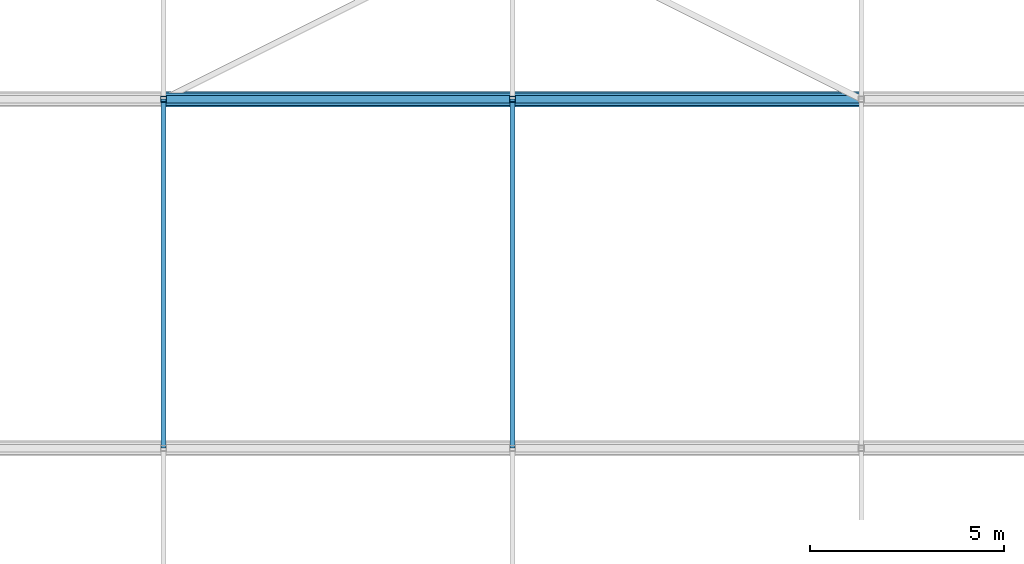
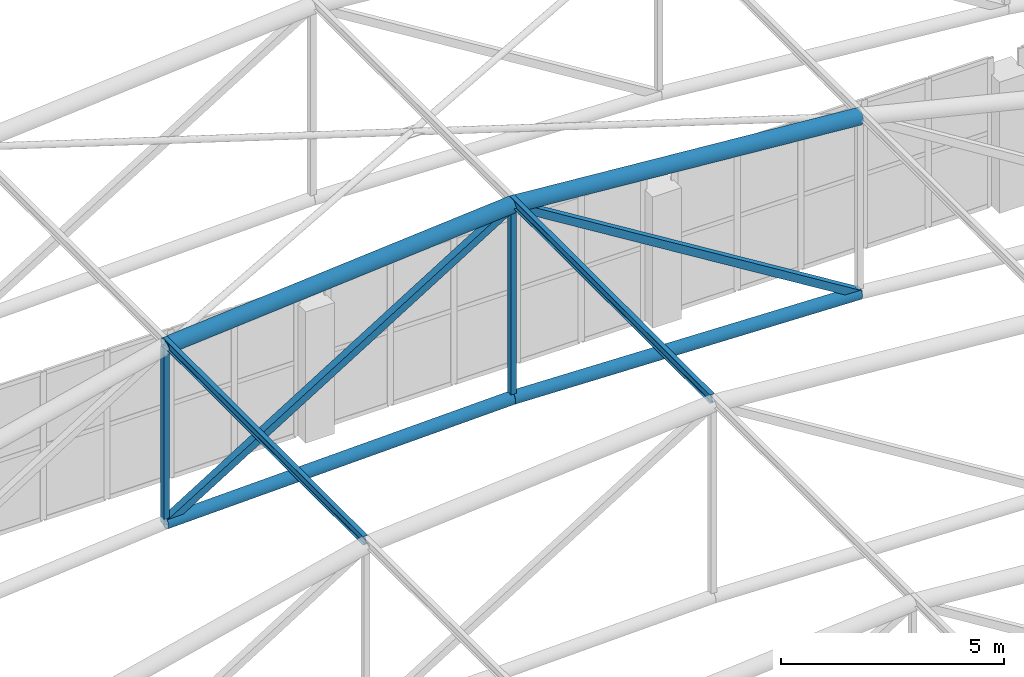
# One storey, part 58 of 167: 10 members.
"""IFC4 building model written with IfcOpenShell, lengths in metres."""

from ifc_helpers import new_model, si_unit, direction, frame, origin, origin_2d, place, context, subcontext, project, spatial, hollow_rectangle, hollow_circle, i_section, extrude, material, material_profile, profile_set, type_object, element, save


model = new_model("IFC4")

# Units and contexts
model_context = context("Model", 3, precision=1e-05, world=origin(), true_north=direction((0.0, 1.0)))
body_context = subcontext(model_context, "Body", "Model", "MODEL_VIEW")
ifc_project = project(units=[si_unit("LENGTHUNIT", "METRE"), si_unit("AREAUNIT", "SQUARE_METRE"), si_unit("VOLUMEUNIT", "CUBIC_METRE"), si_unit("PLANEANGLEUNIT", "RADIAN"), si_unit("MASSUNIT", "GRAM", prefix="KILO")], contexts=[model_context])

# Site, building, storey
site_placement = place(None, origin())
site = spatial("IfcSite", under=ifc_project, at=site_placement, CompositionType="ELEMENT")
building_placement = place(site_placement, origin())
building = spatial("IfcBuilding", under=site, at=building_placement, Name="Dornveld Trade and Exhibition Forum", CompositionType="ELEMENT")
storey_placement = place(building_placement, frame((0.0, 0.0, 16.800048828125)))
storey = spatial("IfcBuildingStorey", under=building, at=storey_placement, Name="L03", CompositionType="ELEMENT", Elevation=16.800048828125)

# Members
ifc_material_1 = material(Name="Steel S355J2", Category="steel")
ifc_material_profile_1 = material_profile(ifc_material_1, hollow_circle(Radius=0.161865234375, WallThickness=0.01611328125, at=origin_2d()), Name="CHS 323.9x16")
ifc_profile_set_1 = profile_set([ifc_material_profile_1], Name="Steel S355J2")
member_type_1 = type_object("IfcMemberType", Name="MEM-ARCH-BC", PredefinedType="CHORD", material=ifc_profile_set_1)
for number, where, z_axis, x_axis, name in (
    (1, (45.0, 126.0, 6.083251953125), (0.999561545365, 0.0, 0.029609407757), (0.0, 1.0, 0.0), "H3 truss 11 tie chord 3"),
    (2, (54.0, 126.0, 6.349853515625), (0.999561545365, 0.0, -0.029609407757), (0.0, 1.0, 0.0), "H3 truss 11 tie chord 4"),
):
    element("IfcMember", number, at=place(storey_placement, frame(where, z_axis=z_axis, x_axis=x_axis)), inside=storey, type_object=member_type_1, Name=name, PredefinedType="CHORD", context=body_context, shape_type="SweptSolid", body=[
        extrude(hollow_circle(Radius=0.161865234375, WallThickness=0.01611328125, at=origin_2d()), origin(), (0.0, 0.0, 1.0), 9.00390625),
    ])
ifc_material_2 = material(Name="Steel S355J2", Category="steel")
ifc_material_profile_2 = material_profile(ifc_material_2, hollow_rectangle(XDim=0.14990234375, YDim=0.14990234375, WallThickness=0.008056640625, at=origin_2d()), Name="SHS 150x150x8")
ifc_profile_set_2 = profile_set([ifc_material_profile_2], Name="Steel S355J2")
member_type_2 = type_object("IfcMemberType", Name="MEM-ARCH-STR", PredefinedType="STRUT", material=ifc_profile_set_2)
member_1_placement = place(storey_placement, frame((45.0, 126.0, 6.083251953125), z_axis=(0.0, 0.0, 1.0), x_axis=(1.0, 0.0, 0.0)))
element("IfcMember", 3, at=member_1_placement, inside=storey, type_object=member_type_2, Name="H3 truss 11 strut 3", PredefinedType="STRUT", context=body_context, shape_type="SweptSolid", body=[
    extrude(hollow_rectangle(XDim=0.14990234375, YDim=0.14990234375, WallThickness=0.008056640625, at=origin_2d()), origin(), (0.0, 0.0, 1.0), 4.83349609375),
])
member_2_placement = place(storey_placement, frame((54.0, 126.0, 6.349853515625), z_axis=(0.0, 0.0, 1.0), x_axis=(1.0, 0.0, 0.0)))
element("IfcMember", 4, at=member_2_placement, inside=storey, type_object=member_type_2, Name="H3 truss 11 strut 4", PredefinedType="STRUT", context=body_context, shape_type="SweptSolid", body=[
    extrude(hollow_rectangle(XDim=0.14990234375, YDim=0.14990234375, WallThickness=0.008056640625, at=origin_2d()), origin(), (0.0, 0.0, 1.0), 5.300048828125),
])
ifc_material_3 = material(Name="Steel S355J2", Category="steel")
ifc_material_profile_3 = material_profile(ifc_material_3, hollow_circle(Radius=0.203125, WallThickness=0.02001953125, at=origin_2d()), Name="CHS 406.4x20")
ifc_profile_set_3 = profile_set([ifc_material_profile_3], Name="Steel S355J2")
member_type_3 = type_object("IfcMemberType", Name="MEM-ARCH-TC", PredefinedType="CHORD", material=ifc_profile_set_3)
for number, where, z_axis, x_axis, name in (
    (5, (45.0, 126.0, 10.916748046875), (0.996698427641, 0.0, 0.081192637213), (0.0, 1.0, 0.0), "H3 truss 11 top chord 3"),
    (6, (54.0, 126.0, 11.64990234375), (0.996698427641, 0.0, -0.081192637213), (0.0, 1.0, 0.0), "H3 truss 11 top chord 4"),
):
    element("IfcMember", number, at=place(storey_placement, frame(where, z_axis=z_axis, x_axis=x_axis)), inside=storey, type_object=member_type_3, Name=name, PredefinedType="CHORD", context=body_context, shape_type="SweptSolid", body=[
        extrude(hollow_circle(Radius=0.203125, WallThickness=0.02001953125, at=origin_2d()), origin(), (0.0, 0.0, 1.0), 9.02978515625),
    ])
ifc_material_4 = material(Name="Steel S355J2", Category="steel")
ifc_material_profile_4 = material_profile(ifc_material_4, hollow_rectangle(XDim=0.199951171875, YDim=0.199951171875, WallThickness=0.010009765625, at=origin_2d()), Name="SHS 200x200x10")
ifc_profile_set_4 = profile_set([ifc_material_profile_4], Name="Steel S355J2")
member_type_4 = type_object("IfcMemberType", Name="MEM-ARCH-WEB", PredefinedType="BRACE", material=ifc_profile_set_4)
for number, where, z_axis, x_axis, name in (
    (7, (45.0, 126.0, 6.083251953125), (0.850467158024, 0.0, 0.526028148603), (0.0, 1.0, 0.0), "H3 truss 11 web 3"),
    (8, (63.0, 126.0, 6.083251953125), (-0.850467158024, 0.0, 0.526028148603), (0.0, -1.0, 0.0), "H3 truss 11 web 4"),
):
    element("IfcMember", number, at=place(storey_placement, frame(where, z_axis=z_axis, x_axis=x_axis)), inside=storey, type_object=member_type_4, Name=name, PredefinedType="BRACE", context=body_context, shape_type="SweptSolid", body=[
        extrude(hollow_rectangle(XDim=0.199951171875, YDim=0.199951171875, WallThickness=0.010009765625, at=origin_2d()), origin(), (0.0, 0.0, 1.0), 10.58251953125),
    ])
ifc_material_5 = material(Name="Steel S355J2", Category="steel")
ifc_material_profile_5 = material_profile(ifc_material_5, i_section(OverallWidth=0.1201171875, OverallDepth=0.239990234375, WebThickness=0.006103515625, FlangeThickness=0.009765625, FilletRadius=0.014892578125, at=origin_2d()), Name="IPE 240")
ifc_profile_set_5 = profile_set([ifc_material_profile_5], Name="Steel S355J2")
member_type_5 = type_object("IfcMemberType", Name="MEM-PURLIN-240", PredefinedType="PURLIN", material=ifc_profile_set_5)
for number, where, z_axis, x_axis, name in (
    (9, (45.0, 117.0, 11.048583984375), (0.0, 1.0, 0.0), (-1.0, 0.0, 0.0), "H3 bay 10 roof purlin 3"),
    (10, (54.0, 117.0, 11.781982421875), (0.0, 1.0, 0.0), (-1.0, 0.0, 0.0), "H3 bay 10 roof purlin 4"),
):
    element("IfcMember", number, at=place(storey_placement, frame(where, z_axis=z_axis, x_axis=x_axis)), inside=storey, type_object=member_type_5, Name=name, PredefinedType="PURLIN", context=body_context, shape_type="SweptSolid", body=[
        extrude(i_section(OverallWidth=0.1201171875, OverallDepth=0.239990234375, WebThickness=0.006103515625, FlangeThickness=0.009765625, FilletRadius=0.014892578125, at=origin_2d()), origin(), (0.0, 0.0, 1.0), 9.0),
    ])

save(model, "model.ifc")
